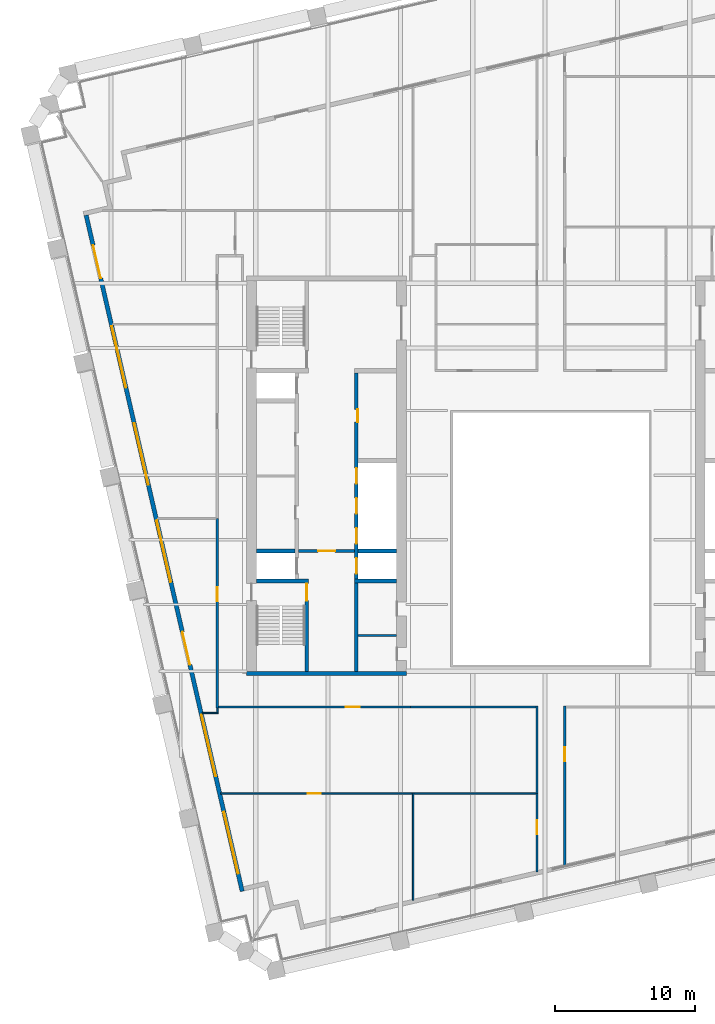
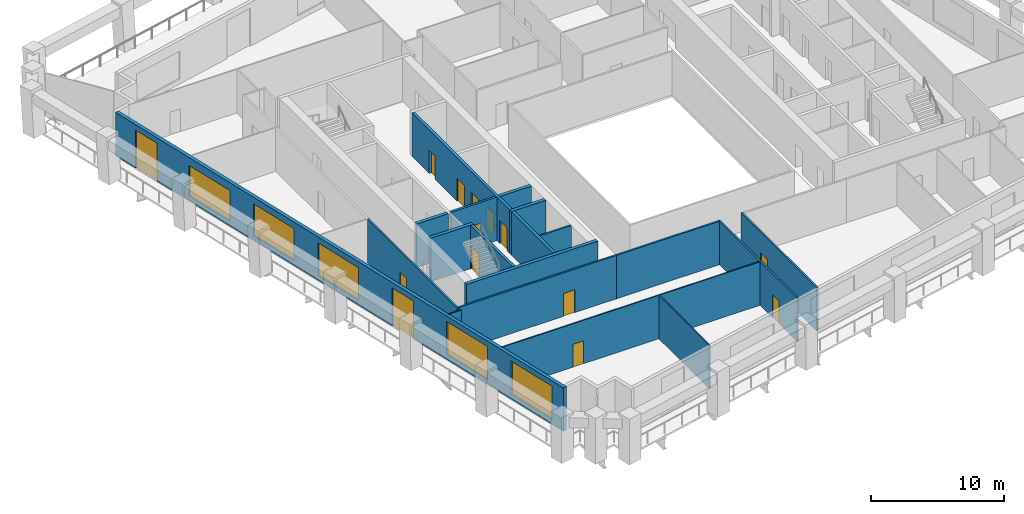
# One storey, part 4 of 11: 21 walls, 14 doors, 5 windows, 19 openings.
"""IFC4 building model written with IfcOpenShell, lengths in metres."""

from ifc_helpers import new_model, si_unit, direction, frame, frame_2d, origin, place, context, subcontext, project, spatial, rectangle, extrude, material, layer, layer_set, type_object, element, fill, save


model = new_model("IFC4")

# Units and contexts
model_context = context("Model", 3, precision=1e-05, world=origin(), true_north=direction((0.0, 1.0)))
body_context = subcontext(model_context, "Body", "Model", "MODEL_VIEW")
ifc_project = project(units=[si_unit("LENGTHUNIT", "METRE"), si_unit("AREAUNIT", "SQUARE_METRE"), si_unit("VOLUMEUNIT", "CUBIC_METRE"), si_unit("PLANEANGLEUNIT", "RADIAN"), si_unit("MASSUNIT", "GRAM", prefix="KILO")], contexts=[model_context])

# Site, building, storey
site_placement = place(None, origin())
site = spatial("IfcSite", under=ifc_project, at=site_placement, CompositionType="ELEMENT")
building_placement = place(site_placement, origin())
building = spatial("IfcBuilding", under=site, at=building_placement, Name="Ogive Exchange Tower", CompositionType="ELEMENT")
storey_placement = place(building_placement, frame((0.0, 0.0, 209.39990234375)))
storey = spatial("IfcBuildingStorey", under=building, at=storey_placement, Name="L46", CompositionType="ELEMENT", Elevation=209.39990234375)

# Wall
ifc_material_1 = material(Name="Gypsum board partition")
ifc_layer_1 = layer(ifc_material_1, 0.14990234375)
ifc_layer_set_1 = layer_set([ifc_layer_1], Name="Core room partition 150 gypsum")
wall_type_1 = type_object("IfcWallType", Name="Core room partition 150 gypsum", PredefinedType="PARTITIONING", material=ifc_layer_set_1)
wall_1_placement = place(storey_placement, frame((-13.75, 0.10009765625, 0.0), z_axis=(0.0, 0.0, 1.0), x_axis=(1.0, 0.0, 0.0)))
element("IfcWall", 1, at=wall_1_placement, inside=storey, type_object=wall_type_1, Name="W south room partition", PredefinedType="PARTITIONING", context=body_context, shape_type="SweptSolid", body=[
    extrude(rectangle(XDim=2.75, YDim=0.14990234375, at=frame_2d((1.375, 0.0))), origin(), (0.0, 0.0, 1.0), 4.0),
])

# Wall, opening, door
ifc_material_2 = material(Name="Fire partition EI 60 150")
ifc_layer_2 = layer(ifc_material_2, 0.14990234375)
ifc_layer_set_2 = layer_set([ifc_layer_2], Name="Fire partition EI 60 150")
wall_type_2 = type_object("IfcWallType", Name="Fire partition EI 60 150", PredefinedType="PARTITIONING", material=ifc_layer_set_2)
wall_2_placement = place(storey_placement, frame((-23.800048828125, -5.074951171875, 0.0), z_axis=(0.0, 0.0, 1.0), x_axis=(0.0, 1.0, 0.0)))
wall_2 = element("IfcWall", 2, at=wall_2_placement, inside=storey, type_object=wall_type_2, Name="L46-PWL-002", PredefinedType="PARTITIONING", context=body_context, shape_type="SweptSolid", body=[
    extrude(rectangle(XDim=13.52490234375, YDim=0.14990234375, at=frame_2d((6.762451171875, 0.0))), origin(), (0.0, 0.0, 1.0), 4.0),
])
opening_1_placement = place(wall_2_placement, frame((7.625, 0.0, 0.0)))
opening_1 = element("IfcOpeningElement", 3, at=opening_1_placement, cuts=wall_2, Name="Opening L46-I08", PredefinedType="OPENING", context=body_context, shape_type="SweptSolid", body=[
    extrude(rectangle(XDim=1.0, YDim=2.10009765625, at=frame_2d((0.5, 1.050048828125))), frame((0.0, 0.0849609375, 0.0), z_axis=(0.0, -1.0, 0.0), x_axis=(1.0, 0.0, 0.0)), (0.0, 0.0, 1.0), 0.169921875),
])
ifc_material_3 = material(Name="Fire door FD 30S 1000 x 2100")
door_type_1 = type_object("IfcDoorType", Name="Fire door FD 30S 1000 x 2100", OperationType="NOTDEFINED", PredefinedType="DOOR", material=ifc_material_3)
door_1_placement = place(opening_1_placement, origin())
door_1 = element("IfcDoor", 4, at=door_1_placement, inside=storey, type_object=door_type_1, Name="L46-IDR-008", ObjectType="DT3", OperationType="SINGLE_SWING_LEFT", OverallHeight=2.10009765625, OverallWidth=1.0, PredefinedType="DOOR", context=body_context, shape_type="SweptSolid", body=[
    extrude(rectangle(XDim=1.0, YDim=2.10009765625, at=frame_2d((0.5, 1.050048828125))), frame((0.0, 0.02490234375, 0.0), z_axis=(0.0, -1.0, 0.0), x_axis=(1.0, 0.0, 0.0)), (0.0, 0.0, 1.0), 0.050048828125),
])
fill(opening_1, door_1)

wall_3_placement = place(storey_placement, frame((-10.0, -5.0, 0.0), z_axis=(0.0, 0.0, 1.0), x_axis=(-1.0, 0.0, 0.0)))
wall_3 = element("IfcWall", 5, at=wall_3_placement, inside=storey, type_object=wall_type_2, Name="L46-PWL-013", PredefinedType="PARTITIONING", context=body_context, shape_type="SweptSolid", body=[
    extrude(rectangle(XDim=13.715087890625, YDim=0.14990234375, at=frame_2d((6.857421875, 0.0))), origin(), (0.0, 0.0, 1.0), 4.0),
])
opening_2_placement = place(wall_3_placement, frame((3.639892578125, 0.0, 0.0)))
opening_2 = element("IfcOpeningElement", 6, at=opening_2_placement, cuts=wall_3, Name="Opening L46-I09", PredefinedType="OPENING", context=body_context, shape_type="SweptSolid", body=[
    extrude(rectangle(XDim=1.0, YDim=2.10009765625, at=frame_2d((0.5, 1.050048828125))), frame((0.0, 0.0849609375, 0.0), z_axis=(0.0, -1.0, 0.0), x_axis=(1.0, 0.0, 0.0)), (0.0, 0.0, 1.0), 0.169921875),
])
door_2_placement = place(opening_2_placement, origin())
door_2 = element("IfcDoor", 7, at=door_2_placement, inside=storey, type_object=door_type_1, Name="L46-IDR-009", ObjectType="DT3", OperationType="SINGLE_SWING_LEFT", OverallHeight=2.10009765625, OverallWidth=1.0, PredefinedType="DOOR", context=body_context, shape_type="SweptSolid", body=[
    extrude(rectangle(XDim=1.0, YDim=2.10009765625, at=frame_2d((0.5, 1.050048828125))), frame((0.0, 0.02490234375, 0.0), z_axis=(0.0, -1.0, 0.0), x_axis=(1.0, 0.0, 0.0)), (0.0, 0.0, 1.0), 0.050048828125),
])
fill(opening_2, door_2)

wall_4_placement = place(storey_placement, frame((-0.989990234375, -16.7529296875, 0.0), z_axis=(0.0, 0.0, 1.0), x_axis=(0.0, 1.0, 0.0)))
wall_4 = element("IfcWall", 8, at=wall_4_placement, inside=storey, type_object=wall_type_2, Name="L46-PWL-027", PredefinedType="PARTITIONING", context=body_context, shape_type="SweptSolid", body=[
    extrude(rectangle(XDim=5.5830078125, YDim=0.14990234375, at=frame_2d((2.79150390625, 0.0))), origin(), (0.0, 0.0, 1.0), 4.0),
])
opening_3_placement = place(wall_4_placement, frame((2.68310546875, 0.0, 0.0)))
opening_3 = element("IfcOpeningElement", 9, at=opening_3_placement, cuts=wall_4, Name="Opening L46-I10", PredefinedType="OPENING", context=body_context, shape_type="SweptSolid", body=[
    extrude(rectangle(XDim=1.0, YDim=2.10009765625, at=frame_2d((0.5, 1.050048828125))), frame((0.0, 0.0849609375, 0.0), z_axis=(0.0, -1.0, 0.0), x_axis=(1.0, 0.0, 0.0)), (0.0, 0.0, 1.0), 0.169921875),
])
door_3_placement = place(opening_3_placement, origin())
door_3 = element("IfcDoor", 10, at=door_3_placement, inside=storey, type_object=door_type_1, Name="L46-IDR-010", ObjectType="DT3", OperationType="SINGLE_SWING_LEFT", OverallHeight=2.10009765625, OverallWidth=1.0, PredefinedType="DOOR", context=body_context, shape_type="SweptSolid", body=[
    extrude(rectangle(XDim=1.0, YDim=2.10009765625, at=frame_2d((0.5, 1.050048828125))), frame((0.0, 0.02490234375, 0.0), z_axis=(0.0, -1.0, 0.0), x_axis=(1.0, 0.0, 0.0)), (0.0, 0.0, 1.0), 0.050048828125),
])
fill(opening_3, door_3)

# Walls
wall_5_placement = place(storey_placement, frame((-0.989990234375, -11.169921875, 0.0), z_axis=(0.0, 0.0, 1.0), x_axis=(0.0, 1.0, 0.0)))
element("IfcWall", 11, at=wall_5_placement, inside=storey, type_object=wall_type_2, Name="L46-PWL-029", PredefinedType="PARTITIONING", context=body_context, shape_type="SweptSolid", body=[
    extrude(rectangle(XDim=6.244873046875, YDim=0.14990234375, at=frame_2d((3.12255859375, 0.0))), origin(), (0.0, 0.0, 1.0), 4.0),
])
wall_6_placement = place(storey_placement, frame((-1.06494140625, -5.0, 0.0), z_axis=(0.0, 0.0, 1.0), x_axis=(-1.0, 0.0, 0.0)))
element("IfcWall", 12, at=wall_6_placement, inside=storey, type_object=wall_type_2, Name="L46-PWL-030", PredefinedType="PARTITIONING", context=body_context, shape_type="SweptSolid", body=[
    extrude(rectangle(XDim=8.93505859375, YDim=0.14990234375, at=frame_2d((4.467529296875, 0.0))), origin(), (0.0, 0.0, 1.0), 4.0),
])

# Wall, opening, door
wall_7_placement = place(storey_placement, frame((0.989990234375, -4.925048828125, 0.0), z_axis=(0.0, 0.0, 1.0), x_axis=(0.0, -1.0, 0.0)))
wall_7 = element("IfcWall", 13, at=wall_7_placement, inside=storey, type_object=wall_type_2, Name="L46-PWL-034", PredefinedType="PARTITIONING", context=body_context, shape_type="SweptSolid", body=[
    extrude(rectangle(XDim=11.370849609375, YDim=0.14990234375, at=frame_2d((5.685546875, 0.0))), origin(), (0.0, 0.0, 1.0), 4.0),
])
opening_4_placement = place(wall_7_placement, frame((2.945068359375, 0.0, 0.0)))
opening_4 = element("IfcOpeningElement", 14, at=opening_4_placement, cuts=wall_7, Name="Opening L46-I13", PredefinedType="OPENING", context=body_context, shape_type="SweptSolid", body=[
    extrude(rectangle(XDim=1.0, YDim=2.10009765625, at=frame_2d((0.5, 1.050048828125))), frame((0.0, 0.0849609375, 0.0), z_axis=(0.0, -1.0, 0.0), x_axis=(1.0, 0.0, 0.0)), (0.0, 0.0, 1.0), 0.169921875),
])
door_4_placement = place(opening_4_placement, origin())
door_4 = element("IfcDoor", 15, at=door_4_placement, inside=storey, type_object=door_type_1, Name="L46-IDR-013", ObjectType="DT3", OperationType="SINGLE_SWING_RIGHT", OverallHeight=2.10009765625, OverallWidth=1.0, PredefinedType="DOOR", context=body_context, shape_type="SweptSolid", body=[
    extrude(rectangle(XDim=1.0, YDim=2.10009765625, at=frame_2d((0.5, 1.050048828125))), frame((0.0, 0.02490234375, 0.0), z_axis=(0.0, -1.0, 0.0), x_axis=(1.0, 0.0, 0.0)), (0.0, 0.0, 1.0), 0.050048828125),
])
fill(opening_4, door_4)

# Wall, openings, doors, windows
ifc_material_4 = material(Name="Precast concrete C40/50", Category="concrete")
ifc_layer_3 = layer(ifc_material_4, 0.300048828125)
ifc_layer_set_3 = layer_set([ifc_layer_3], Name="Limestone-faced wall 300")
wall_type_3 = type_object("IfcWallType", Name="Limestone-faced wall 300", PredefinedType="STANDARD", material=ifc_layer_set_3)
wall_8_placement = place(storey_placement, frame((-33.1572265625, 30.092041015625, 0.0), z_axis=(0.0, 0.0, 1.0), x_axis=(0.224950279389, -0.974370243697, 0.0)))
wall_8 = element("IfcWall", 16, at=wall_8_placement, inside=storey, type_object=wall_type_3, Name="External wall W4", PredefinedType="STANDARD", context=body_context, shape_type="SweptSolid", body=[
    extrude(rectangle(XDim=49.499755859375, YDim=0.300048828125, at=frame_2d((24.75, 0.0))), origin(), (0.0, 0.0, 1.0), 4.0),
])
opening_5_placement = place(wall_8_placement, frame((2.20703125, 0.0, 0.0)))
opening_5 = element("IfcOpeningElement", 17, at=opening_5_placement, cuts=wall_8, Name="Opening D1", PredefinedType="OPENING", context=body_context, shape_type="SweptSolid", body=[
    extrude(rectangle(XDim=2.39990234375, YDim=3.5, at=frame_2d((1.199951171875, 1.75))), frame((0.0, 0.159912109375, 0.0), z_axis=(0.0, -1.0, 0.0), x_axis=(1.0, 0.0, 0.0)), (0.0, 0.0, 1.0), 0.320068359375),
])
opening_6_placement = place(wall_8_placement, frame((8.121337890625, 0.0, 0.449951171875)))
opening_6 = element("IfcOpeningElement", 18, at=opening_6_placement, cuts=wall_8, Name="Opening W1E", PredefinedType="OPENING", context=body_context, shape_type="SweptSolid", body=[
    extrude(rectangle(XDim=4.5, YDim=2.824951171875, at=frame_2d((2.25, 1.41259765625))), frame((0.0, 0.159912109375, 0.0), z_axis=(0.0, -1.0, 0.0), x_axis=(1.0, 0.0, 0.0)), (0.0, 0.0, 1.0), 0.320068359375),
])
opening_7_placement = place(wall_8_placement, frame((15.235595703125, 0.0, 0.449951171875)))
opening_7 = element("IfcOpeningElement", 19, at=opening_7_placement, cuts=wall_8, Name="Opening W1B", PredefinedType="OPENING", context=body_context, shape_type="SweptSolid", body=[
    extrude(rectangle(XDim=4.5, YDim=2.949951171875, at=frame_2d((2.25, 1.47509765625))), frame((0.0, 0.159912109375, 0.0), z_axis=(0.0, -1.0, 0.0), x_axis=(1.0, 0.0, 0.0)), (0.0, 0.0, 1.0), 0.320068359375),
])
opening_8_placement = place(wall_8_placement, frame((22.35009765625, 0.0, 0.449951171875)))
opening_8 = element("IfcOpeningElement", 20, at=opening_8_placement, cuts=wall_8, Name="Opening W1A", PredefinedType="OPENING", context=body_context, shape_type="SweptSolid", body=[
    extrude(rectangle(XDim=4.5, YDim=3.0, at=frame_2d((2.25, 1.5))), frame((0.0, 0.159912109375, 0.0), z_axis=(0.0, -1.0, 0.0), x_axis=(1.0, 0.0, 0.0)), (0.0, 0.0, 1.0), 0.320068359375),
])
opening_9_placement = place(wall_8_placement, frame((30.51416015625, 0.0, 0.0)))
opening_9 = element("IfcOpeningElement", 21, at=opening_9_placement, cuts=wall_8, Name="Opening D1", PredefinedType="OPENING", context=body_context, shape_type="SweptSolid", body=[
    extrude(rectangle(XDim=2.39990234375, YDim=3.5, at=frame_2d((1.199951171875, 1.75))), frame((0.0, 0.159912109375, 0.0), z_axis=(0.0, -1.0, 0.0), x_axis=(1.0, 0.0, 0.0)), (0.0, 0.0, 1.0), 0.320068359375),
])
opening_10_placement = place(wall_8_placement, frame((36.57861328125, 0.0, 0.449951171875)))
opening_10 = element("IfcOpeningElement", 22, at=opening_10_placement, cuts=wall_8, Name="Opening W1", PredefinedType="OPENING", context=body_context, shape_type="SweptSolid", body=[
    extrude(rectangle(XDim=4.5, YDim=3.050048828125, at=frame_2d((2.25, 1.52490234375))), frame((0.0, 0.159912109375, 0.0), z_axis=(0.0, -1.0, 0.0), x_axis=(1.0, 0.0, 0.0)), (0.0, 0.0, 1.0), 0.320068359375),
])
opening_11_placement = place(wall_8_placement, frame((43.69287109375, 0.0, 0.449951171875)))
opening_11 = element("IfcOpeningElement", 23, at=opening_11_placement, cuts=wall_8, Name="Opening W1", PredefinedType="OPENING", context=body_context, shape_type="SweptSolid", body=[
    extrude(rectangle(XDim=4.5, YDim=3.050048828125, at=frame_2d((2.25, 1.52490234375))), frame((0.0, 0.159912109375, 0.0), z_axis=(0.0, -1.0, 0.0), x_axis=(1.0, 0.0, 0.0)), (0.0, 0.0, 1.0), 0.320068359375),
])
ifc_material_5 = material(Name="Clear glass in bronze frame", Category="glass")
door_type_2 = type_object("IfcDoorType", Name="Sliding loggia door 2400 x 3500", OperationType="DOUBLE_DOOR_SLIDING", PredefinedType="DOOR", material=ifc_material_5)
door_5_placement = place(opening_5_placement, origin())
door_5 = element("IfcDoor", 24, at=door_5_placement, inside=storey, type_object=door_type_2, Name="Loggia door W00", OperationType="DOUBLE_DOOR_SLIDING", OverallHeight=3.5, OverallWidth=2.39990234375, PredefinedType="DOOR", context=body_context, shape_type="SweptSolid", body=[
    extrude(rectangle(XDim=2.39990234375, YDim=3.5, at=frame_2d((1.199951171875, 1.75))), frame((0.0, 0.02490234375, 0.0), z_axis=(0.0, -1.0, 0.0), x_axis=(1.0, 0.0, 0.0)), (0.0, 0.0, 1.0), 0.050048828125),
])
fill(opening_5, door_5)
door_6_placement = place(opening_9_placement, origin())
door_6 = element("IfcDoor", 25, at=door_6_placement, inside=storey, type_object=door_type_2, Name="Loggia door W04", OperationType="DOUBLE_DOOR_SLIDING", OverallHeight=3.5, OverallWidth=2.39990234375, PredefinedType="DOOR", context=body_context, shape_type="SweptSolid", body=[
    extrude(rectangle(XDim=2.39990234375, YDim=3.5, at=frame_2d((1.199951171875, 1.75))), frame((0.0, 0.02490234375, 0.0), z_axis=(0.0, -1.0, 0.0), x_axis=(1.0, 0.0, 0.0)), (0.0, 0.0, 1.0), 0.050048828125),
])
fill(opening_9, door_6)
window_type_1 = type_object("IfcWindowType", Name="Twin lancet window 4500 x 2825", PartitioningType="DOUBLE_PANEL_VERTICAL", PredefinedType="WINDOW", material=ifc_material_5)
window_1_placement = place(opening_6_placement, origin())
window_1 = element("IfcWindow", 26, at=window_1_placement, inside=storey, type_object=window_type_1, Name="Window W01", OverallHeight=2.824951171875, OverallWidth=4.5, PartitioningType="DOUBLE_PANEL_VERTICAL", PredefinedType="WINDOW", context=body_context, shape_type="SweptSolid", body=[
    extrude(rectangle(XDim=4.5, YDim=2.824951171875, at=frame_2d((2.25, 1.41259765625))), frame((0.0, 0.030029296875, 0.0), z_axis=(0.0, -1.0, 0.0), x_axis=(1.0, 0.0, 0.0)), (0.0, 0.0, 1.0), 0.06005859375),
])
fill(opening_6, window_1)
window_type_2 = type_object("IfcWindowType", Name="Twin lancet window 4500 x 2950", PartitioningType="DOUBLE_PANEL_VERTICAL", PredefinedType="WINDOW", material=ifc_material_5)
window_2_placement = place(opening_7_placement, origin())
window_2 = element("IfcWindow", 27, at=window_2_placement, inside=storey, type_object=window_type_2, Name="Window W02", OverallHeight=2.949951171875, OverallWidth=4.5, PartitioningType="DOUBLE_PANEL_VERTICAL", PredefinedType="WINDOW", context=body_context, shape_type="SweptSolid", body=[
    extrude(rectangle(XDim=4.5, YDim=2.949951171875, at=frame_2d((2.25, 1.47509765625))), frame((0.0, 0.030029296875, 0.0), z_axis=(0.0, -1.0, 0.0), x_axis=(1.0, 0.0, 0.0)), (0.0, 0.0, 1.0), 0.06005859375),
])
fill(opening_7, window_2)
window_type_3 = type_object("IfcWindowType", Name="Twin lancet window 4500 x 3000", PartitioningType="DOUBLE_PANEL_VERTICAL", PredefinedType="WINDOW", material=ifc_material_5)
window_3_placement = place(opening_8_placement, origin())
window_3 = element("IfcWindow", 28, at=window_3_placement, inside=storey, type_object=window_type_3, Name="Window W03", OverallHeight=3.0, OverallWidth=4.5, PartitioningType="DOUBLE_PANEL_VERTICAL", PredefinedType="WINDOW", context=body_context, shape_type="SweptSolid", body=[
    extrude(rectangle(XDim=4.5, YDim=3.0, at=frame_2d((2.25, 1.5))), frame((0.0, 0.030029296875, 0.0), z_axis=(0.0, -1.0, 0.0), x_axis=(1.0, 0.0, 0.0)), (0.0, 0.0, 1.0), 0.06005859375),
])
fill(opening_8, window_3)
window_type_4 = type_object("IfcWindowType", Name="Twin lancet window 4500 x 3050", PartitioningType="DOUBLE_PANEL_VERTICAL", PredefinedType="WINDOW", material=ifc_material_5)
window_4_placement = place(opening_10_placement, origin())
window_4 = element("IfcWindow", 29, at=window_4_placement, inside=storey, type_object=window_type_4, Name="Window W05", OverallHeight=3.050048828125, OverallWidth=4.5, PartitioningType="DOUBLE_PANEL_VERTICAL", PredefinedType="WINDOW", context=body_context, shape_type="SweptSolid", body=[
    extrude(rectangle(XDim=4.5, YDim=3.050048828125, at=frame_2d((2.25, 1.52490234375))), frame((0.0, 0.030029296875, 0.0), z_axis=(0.0, -1.0, 0.0), x_axis=(1.0, 0.0, 0.0)), (0.0, 0.0, 1.0), 0.06005859375),
])
fill(opening_10, window_4)
window_5_placement = place(opening_11_placement, origin())
window_5 = element("IfcWindow", 30, at=window_5_placement, inside=storey, type_object=window_type_4, Name="Window W06", OverallHeight=3.050048828125, OverallWidth=4.5, PartitioningType="DOUBLE_PANEL_VERTICAL", PredefinedType="WINDOW", context=body_context, shape_type="SweptSolid", body=[
    extrude(rectangle(XDim=4.5, YDim=3.050048828125, at=frame_2d((2.25, 1.52490234375))), frame((0.0, 0.030029296875, 0.0), z_axis=(0.0, -1.0, 0.0), x_axis=(1.0, 0.0, 0.0)), (0.0, 0.0, 1.0), 0.06005859375),
])
fill(opening_11, window_5)

# Walls
ifc_material_6 = material(Name="Partition 100 gypsum")
ifc_layer_4 = layer(ifc_material_6, 0.10009765625)
ifc_layer_set_4 = layer_set([ifc_layer_4], Name="Partition 100 gypsum")
wall_type_4 = type_object("IfcWallType", Name="Partition 100 gypsum", PredefinedType="PARTITIONING", material=ifc_layer_set_4)
wall_9_placement = place(storey_placement, frame((-23.739990234375, -5.419921875, 0.0), z_axis=(0.0, 0.0, 1.0), x_axis=(-1.0, 0.0, 0.0)))
element("IfcWall", 31, at=wall_9_placement, inside=storey, type_object=wall_type_4, Name="L46-PWL-007", PredefinedType="PARTITIONING", context=body_context, shape_type="SweptSolid", body=[
    extrude(rectangle(XDim=1.14697265625, YDim=0.10009765625, at=frame_2d((0.573486328125, 0.0))), origin(), (0.0, 0.0, 1.0), 4.0),
])
wall_10_placement = place(storey_placement, frame((-23.7900390625, -5.074951171875, 0.0), z_axis=(0.0, 0.0, 1.0), x_axis=(0.0, -1.0, 0.0)))
element("IfcWall", 32, at=wall_10_placement, inside=storey, type_object=wall_type_4, Name="L46-PWL-008", PredefinedType="PARTITIONING", context=body_context, shape_type="SweptSolid", body=[
    extrude(rectangle(XDim=0.295166015625, YDim=0.10009765625, at=frame_2d((0.1474609375, 0.0))), origin(), (0.0, 0.0, 1.0), 4.0),
])
wall_11_placement = place(storey_placement, frame((-9.830078125, -18.7939453125, 0.0), z_axis=(0.0, 0.0, 1.0), x_axis=(0.0, 1.0, 0.0)))
element("IfcWall", 33, at=wall_11_placement, inside=storey, type_object=wall_type_4, Name="L46-PWL-015", PredefinedType="PARTITIONING", context=body_context, shape_type="SweptSolid", body=[
    extrude(rectangle(XDim=7.673828125, YDim=0.10009765625, at=frame_2d((3.8369140625, 0.0))), origin(), (0.0, 0.0, 1.0), 4.0),
])

# Wall, opening, door
wall_12_placement = place(storey_placement, frame((-9.8798828125, -11.169921875, 0.0), z_axis=(0.0, 0.0, 1.0), x_axis=(-1.0, 0.0, 0.0)))
wall_12 = element("IfcWall", 34, at=wall_12_placement, inside=storey, type_object=wall_type_4, Name="L46-PWL-016", PredefinedType="PARTITIONING", context=body_context, shape_type="SweptSolid", body=[
    extrude(rectangle(XDim=13.68017578125, YDim=0.10009765625, at=frame_2d((6.840087890625, 0.0))), origin(), (0.0, 0.0, 1.0), 4.0),
])
opening_12_placement = place(wall_12_placement, frame((6.550048828125, 0.0, 0.0)))
opening_12 = element("IfcOpeningElement", 35, at=opening_12_placement, cuts=wall_12, Name="Opening L46-I11", PredefinedType="OPENING", context=body_context, shape_type="SweptSolid", body=[
    extrude(rectangle(XDim=0.89990234375, YDim=2.10009765625, at=frame_2d((0.449951171875, 1.050048828125))), frame((0.0, 0.06005859375, 0.0), z_axis=(0.0, -1.0, 0.0), x_axis=(1.0, 0.0, 0.0)), (0.0, 0.0, 1.0), 0.1201171875),
])
ifc_material_7 = material(Name="Door 900 x 2100")
door_type_3 = type_object("IfcDoorType", Name="Door 900 x 2100", OperationType="NOTDEFINED", PredefinedType="DOOR", material=ifc_material_7)
door_7_placement = place(opening_12_placement, origin())
door_7 = element("IfcDoor", 36, at=door_7_placement, inside=storey, type_object=door_type_3, Name="L46-IDR-011", ObjectType="DT1", OperationType="SINGLE_SWING_RIGHT", OverallHeight=2.10009765625, OverallWidth=0.89990234375, PredefinedType="DOOR", context=body_context, shape_type="SweptSolid", body=[
    extrude(rectangle(XDim=0.89990234375, YDim=2.10009765625, at=frame_2d((0.449951171875, 1.050048828125))), frame((0.0, 0.02490234375, 0.0), z_axis=(0.0, -1.0, 0.0), x_axis=(1.0, 0.0, 0.0)), (0.0, 0.0, 1.0), 0.050048828125),
])
fill(opening_12, door_7)

# Wall
wall_13_placement = place(storey_placement, frame((-1.06494140625, -11.169921875, 0.0), z_axis=(0.0, 0.0, 1.0), x_axis=(-1.0, 0.0, 0.0)))
element("IfcWall", 37, at=wall_13_placement, inside=storey, type_object=wall_type_4, Name="L46-PWL-028", PredefinedType="PARTITIONING", context=body_context, shape_type="SweptSolid", body=[
    extrude(rectangle(XDim=8.715087890625, YDim=0.10009765625, at=frame_2d((4.357421875, 0.0))), origin(), (0.0, 0.0, 1.0), 4.0),
])

# Wall, opening, door
ifc_material_8 = material(Name="Concrete C70/85", Category="concrete")
ifc_layer_5 = layer(ifc_material_8, 0.199951171875)
ifc_layer_set_5 = layer_set([ifc_layer_5], Name="RC core wall 200 C70/85")
wall_type_5 = type_object("IfcWallType", Name="RC core wall 200 C70/85", PredefinedType="SHEAR", material=ifc_layer_set_5)
wall_14_placement = place(storey_placement, frame((-18.0, 6.142822265625, 0.0), z_axis=(0.0, 0.0, 1.0), x_axis=(1.0, 0.0, 0.0)))
wall_14 = element("IfcWall", 38, at=wall_14_placement, inside=storey, type_object=wall_type_5, Name="W firefighting lobby wall", PredefinedType="SHEAR", context=body_context, shape_type="SweptSolid", body=[
    extrude(rectangle(XDim=4.0, YDim=0.199951171875, at=frame_2d((2.0, 0.0))), origin(), (0.0, 0.0, 1.0), 4.0),
])
opening_13_placement = place(wall_14_placement, frame((1.39990234375, 0.0, 0.0)))
opening_13 = element("IfcOpeningElement", 39, at=opening_13_placement, cuts=wall_14, Name="Opening L46-C10", PredefinedType="OPENING", context=body_context, shape_type="SweptSolid", body=[
    extrude(rectangle(XDim=1.199951171875, YDim=2.10009765625, at=frame_2d((0.60009765625, 1.050048828125))), frame((0.0, 0.10986328125, 0.0), z_axis=(0.0, -1.0, 0.0), x_axis=(1.0, 0.0, 0.0)), (0.0, 0.0, 1.0), 0.219970703125),
])
ifc_material_9 = material(Name="Steel fire door", Category="steel")
door_type_4 = type_object("IfcDoorType", Name="Firefighting lobby door FD60 1200 x 2100", OperationType="NOTDEFINED", PredefinedType="DOOR", material=ifc_material_9)
door_8_placement = place(opening_13_placement, frame((1.199951171875, 0.0, 0.0), z_axis=(0.0, 0.0, 1.0), x_axis=(-1.0, 0.0, 0.0)))
door_8 = element("IfcDoor", 40, at=door_8_placement, inside=storey, type_object=door_type_4, Name="Firefighting lobby door", ObjectType="CD3", OperationType="SINGLE_SWING_LEFT", OverallHeight=2.10009765625, OverallWidth=1.199951171875, PredefinedType="DOOR", context=body_context, shape_type="SweptSolid", body=[
    extrude(rectangle(XDim=1.199951171875, YDim=2.10009765625, at=frame_2d((0.60009765625, 1.050048828125))), frame((0.0, 0.02490234375, 0.0), z_axis=(0.0, -1.0, 0.0), x_axis=(1.0, 0.0, 0.0)), (0.0, 0.0, 1.0), 0.050048828125),
])
fill(opening_13, door_8)

ifc_layer_6 = layer(ifc_material_8, 0.25)
ifc_layer_set_6 = layer_set([ifc_layer_6], Name="RC core wall 250 C70/85")
wall_type_6 = type_object("IfcWallType", Name="RC core wall 250 C70/85", PredefinedType="SHEAR", material=ifc_layer_set_6)
wall_15_placement = place(storey_placement, frame((-17.425048828125, -2.449951171875, 0.0), z_axis=(0.0, 0.0, 1.0), x_axis=(0.0, 1.0, 0.0)))
wall_15 = element("IfcWall", 41, at=wall_15_placement, inside=storey, type_object=wall_type_6, Name="W stair S front wall", PredefinedType="SHEAR", context=body_context, shape_type="SweptSolid", body=[
    extrude(rectangle(XDim=6.300048828125, YDim=0.25, at=frame_2d((3.14990234375, 0.0))), origin(), (0.0, 0.0, 1.0), 4.0),
])
opening_14_placement = place(wall_15_placement, frame((5.050048828125, 0.0, 0.0)))
opening_14 = element("IfcOpeningElement", 42, at=opening_14_placement, cuts=wall_15, Name="Opening L46-C12", PredefinedType="OPENING", context=body_context, shape_type="SweptSolid", body=[
    extrude(rectangle(XDim=1.199951171875, YDim=2.10009765625, at=frame_2d((0.60009765625, 1.050048828125))), frame((0.0, 0.135009765625, 0.0), z_axis=(0.0, -1.0, 0.0), x_axis=(1.0, 0.0, 0.0)), (0.0, 0.0, 1.0), 0.27001953125),
])
door_type_5 = type_object("IfcDoorType", Name="Stair door FD90 1200 x 2100", OperationType="NOTDEFINED", PredefinedType="DOOR", material=ifc_material_9)
door_9_placement = place(opening_14_placement, origin())
door_9 = element("IfcDoor", 43, at=door_9_placement, inside=storey, type_object=door_type_5, Name="Stair door", ObjectType="CD5", OperationType="SINGLE_SWING_LEFT", OverallHeight=2.10009765625, OverallWidth=1.199951171875, PredefinedType="DOOR", context=body_context, shape_type="SweptSolid", body=[
    extrude(rectangle(XDim=1.199951171875, YDim=2.10009765625, at=frame_2d((0.60009765625, 1.050048828125))), frame((0.0, 0.02490234375, 0.0), z_axis=(0.0, -1.0, 0.0), x_axis=(1.0, 0.0, 0.0)), (0.0, 0.0, 1.0), 0.050048828125),
])
fill(opening_14, door_9)

# Wall, openings, doors
wall_16_placement = place(storey_placement, frame((-13.875, -2.449951171875, 0.0), z_axis=(0.0, 0.0, 1.0), x_axis=(0.0, 1.0, 0.0)))
wall_16 = element("IfcWall", 44, at=wall_16_placement, inside=storey, type_object=wall_type_6, Name="W row B front wall", PredefinedType="SHEAR", context=body_context, shape_type="SweptSolid", body=[
    extrude(rectangle(XDim=21.300048828125, YDim=0.25, at=frame_2d((10.64990234375, 0.0))), origin(), (0.0, 0.0, 1.0), 4.0),
])
opening_15_placement = place(wall_16_placement, frame((17.78564453125, 0.0, 0.0)))
opening_15 = element("IfcOpeningElement", 45, at=opening_15_placement, cuts=wall_16, Name="Opening L46-C05", PredefinedType="OPENING", context=body_context, shape_type="SweptSolid", body=[
    extrude(rectangle(XDim=0.89990234375, YDim=2.10009765625, at=frame_2d((0.449951171875, 1.050048828125))), frame((0.0, 0.135009765625, 0.0), z_axis=(0.0, -1.0, 0.0), x_axis=(1.0, 0.0, 0.0)), (0.0, 0.0, 1.0), 0.27001953125),
])
opening_16_placement = place(wall_16_placement, frame((6.971435546875, 0.0, 0.0)))
opening_16 = element("IfcOpeningElement", 46, at=opening_16_placement, cuts=wall_16, Name="Opening L46-C06", PredefinedType="OPENING", context=body_context, shape_type="SweptSolid", body=[
    extrude(rectangle(XDim=1.10009765625, YDim=2.10009765625, at=frame_2d((0.550048828125, 1.050048828125))), frame((0.0, 0.135009765625, 0.0), z_axis=(0.0, -1.0, 0.0), x_axis=(1.0, 0.0, 0.0)), (0.0, 0.0, 1.0), 0.27001953125),
])
opening_17_placement = place(wall_16_placement, frame((9.1142578125, 0.0, 0.0)))
opening_17 = element("IfcOpeningElement", 47, at=opening_17_placement, cuts=wall_16, Name="Opening L46-C07", PredefinedType="OPENING", context=body_context, shape_type="SweptSolid", body=[
    extrude(rectangle(XDim=1.10009765625, YDim=2.10009765625, at=frame_2d((0.550048828125, 1.050048828125))), frame((0.0, 0.135009765625, 0.0), z_axis=(0.0, -1.0, 0.0), x_axis=(1.0, 0.0, 0.0)), (0.0, 0.0, 1.0), 0.27001953125),
])
opening_18_placement = place(wall_16_placement, frame((11.257080078125, 0.0, 0.0)))
opening_18 = element("IfcOpeningElement", 48, at=opening_18_placement, cuts=wall_16, Name="Opening L46-C08", PredefinedType="OPENING", context=body_context, shape_type="SweptSolid", body=[
    extrude(rectangle(XDim=1.10009765625, YDim=2.10009765625, at=frame_2d((0.550048828125, 1.050048828125))), frame((0.0, 0.135009765625, 0.0), z_axis=(0.0, -1.0, 0.0), x_axis=(1.0, 0.0, 0.0)), (0.0, 0.0, 1.0), 0.27001953125),
])
opening_19_placement = place(wall_16_placement, frame((13.39990234375, 0.0, 0.0)))
opening_19 = element("IfcOpeningElement", 49, at=opening_19_placement, cuts=wall_16, Name="Opening L46-C09", PredefinedType="OPENING", context=body_context, shape_type="SweptSolid", body=[
    extrude(rectangle(XDim=1.10009765625, YDim=2.10009765625, at=frame_2d((0.550048828125, 1.050048828125))), frame((0.0, 0.135009765625, 0.0), z_axis=(0.0, -1.0, 0.0), x_axis=(1.0, 0.0, 0.0)), (0.0, 0.0, 1.0), 0.27001953125),
])
ifc_material_10 = material(Name="Stainless steel", Category="steel")
door_type_6 = type_object("IfcDoorType", Name="Lift landing door FD90 1100 x 2100", OperationType="SLIDING_TO_LEFT", PredefinedType="DOOR", material=ifc_material_10)
door_10_placement = place(opening_16_placement, origin())
door_10 = element("IfcDoor", 50, at=door_10_placement, inside=storey, type_object=door_type_6, Name="Lift landing door SV1", ObjectType="LD", OperationType="SLIDING_TO_LEFT", OverallHeight=2.10009765625, OverallWidth=1.10009765625, PredefinedType="DOOR", context=body_context, shape_type="SweptSolid", body=[
    extrude(rectangle(XDim=1.10009765625, YDim=2.10009765625, at=frame_2d((0.550048828125, 1.050048828125))), frame((0.0, 0.02490234375, 0.0), z_axis=(0.0, -1.0, 0.0), x_axis=(1.0, 0.0, 0.0)), (0.0, 0.0, 1.0), 0.050048828125),
])
fill(opening_16, door_10)
door_11_placement = place(opening_17_placement, origin())
door_11 = element("IfcDoor", 51, at=door_11_placement, inside=storey, type_object=door_type_6, Name="Lift landing door W-M1", ObjectType="LD", OperationType="SLIDING_TO_LEFT", OverallHeight=2.10009765625, OverallWidth=1.10009765625, PredefinedType="DOOR", context=body_context, shape_type="SweptSolid", body=[
    extrude(rectangle(XDim=1.10009765625, YDim=2.10009765625, at=frame_2d((0.550048828125, 1.050048828125))), frame((0.0, 0.02490234375, 0.0), z_axis=(0.0, -1.0, 0.0), x_axis=(1.0, 0.0, 0.0)), (0.0, 0.0, 1.0), 0.050048828125),
])
fill(opening_17, door_11)
door_12_placement = place(opening_18_placement, origin())
door_12 = element("IfcDoor", 52, at=door_12_placement, inside=storey, type_object=door_type_6, Name="Lift landing door W-M2", ObjectType="LD", OperationType="SLIDING_TO_LEFT", OverallHeight=2.10009765625, OverallWidth=1.10009765625, PredefinedType="DOOR", context=body_context, shape_type="SweptSolid", body=[
    extrude(rectangle(XDim=1.10009765625, YDim=2.10009765625, at=frame_2d((0.550048828125, 1.050048828125))), frame((0.0, 0.02490234375, 0.0), z_axis=(0.0, -1.0, 0.0), x_axis=(1.0, 0.0, 0.0)), (0.0, 0.0, 1.0), 0.050048828125),
])
fill(opening_18, door_12)
door_13_placement = place(opening_19_placement, origin())
door_13 = element("IfcDoor", 53, at=door_13_placement, inside=storey, type_object=door_type_6, Name="Lift landing door W-M3", ObjectType="LD", OperationType="SLIDING_TO_LEFT", OverallHeight=2.10009765625, OverallWidth=1.10009765625, PredefinedType="DOOR", context=body_context, shape_type="SweptSolid", body=[
    extrude(rectangle(XDim=1.10009765625, YDim=2.10009765625, at=frame_2d((0.550048828125, 1.050048828125))), frame((0.0, 0.02490234375, 0.0), z_axis=(0.0, -1.0, 0.0), x_axis=(1.0, 0.0, 0.0)), (0.0, 0.0, 1.0), 0.050048828125),
])
fill(opening_19, door_13)
door_type_7 = type_object("IfcDoorType", Name="Riser door FD60 900 x 2100", OperationType="NOTDEFINED", PredefinedType="DOOR", material=ifc_material_9)
door_14_placement = place(opening_15_placement, frame((0.89990234375, -0.2001953125, 0.0), z_axis=(0.0, 0.0, 1.0), x_axis=(-1.0, 0.0, 0.0)))
door_14 = element("IfcDoor", 54, at=door_14_placement, inside=storey, type_object=door_type_7, Name="Riser door", ObjectType="CD2", OperationType="SINGLE_SWING_LEFT", OverallHeight=2.10009765625, OverallWidth=0.89990234375, PredefinedType="DOOR", context=body_context, shape_type="SweptSolid", body=[
    extrude(rectangle(XDim=0.89990234375, YDim=2.10009765625, at=frame_2d((0.449951171875, 1.050048828125))), frame((0.0, -0.0751953125, 0.0), z_axis=(0.0, -1.0, 0.0), x_axis=(1.0, 0.0, 0.0)), (0.0, 0.0, 1.0), 0.050048828125),
])
fill(opening_15, door_14)

# Walls
ifc_layer_7 = layer(ifc_material_8, 0.300048828125)
ifc_layer_set_7 = layer_set([ifc_layer_7], Name="RC core wall 300 C70/85")
wall_type_7 = type_object("IfcWallType", Name="RC core wall 300 C70/85", PredefinedType="SHEAR", material=ifc_layer_set_7)
wall_17_placement = place(storey_placement, frame((-21.699951171875, -2.60009765625, 0.0), z_axis=(0.0, 0.0, 1.0), x_axis=(1.0, 0.0, 0.0)))
element("IfcWall", 55, at=wall_17_placement, inside=storey, type_object=wall_type_7, Name="W south end wall", PredefinedType="SHEAR", context=body_context, shape_type="SweptSolid", body=[
    extrude(rectangle(XDim=11.39990234375, YDim=0.300048828125, at=frame_2d((5.699951171875, 0.0))), origin(), (0.0, 0.0, 1.0), 4.0),
])
wall_18_placement = place(storey_placement, frame((-21.0, 4.0, 0.0), z_axis=(0.0, 0.0, 1.0), x_axis=(1.0, 0.0, 0.0)))
element("IfcWall", 56, at=wall_18_placement, inside=storey, type_object=wall_type_7, Name="W stair S north wall", PredefinedType="SHEAR", context=body_context, shape_type="SweptSolid", body=[
    extrude(rectangle(XDim=3.699951171875, YDim=0.300048828125, at=frame_2d((1.85009765625, 0.0))), origin(), (0.0, 0.0, 1.0), 4.0),
])
wall_19_placement = place(storey_placement, frame((-21.0, 6.142822265625, 0.0), z_axis=(0.0, 0.0, 1.0), x_axis=(1.0, 0.0, 0.0)))
element("IfcWall", 57, at=wall_19_placement, inside=storey, type_object=wall_type_7, Name="W row A divider 1", PredefinedType="SHEAR", context=body_context, shape_type="SweptSolid", body=[
    extrude(rectangle(XDim=2.75, YDim=0.300048828125, at=frame_2d((1.375, 0.0))), origin(), (0.0, 0.0, 1.0), 4.0),
])
wall_20_placement = place(storey_placement, frame((-14.0, 4.0, 0.0), z_axis=(0.0, 0.0, 1.0), x_axis=(1.0, 0.0, 0.0)))
element("IfcWall", 58, at=wall_20_placement, inside=storey, type_object=wall_type_7, Name="W row B divider 0", PredefinedType="SHEAR", context=body_context, shape_type="SweptSolid", body=[
    extrude(rectangle(XDim=3.0, YDim=0.300048828125, at=frame_2d((1.5, 0.0))), origin(), (0.0, 0.0, 1.0), 4.0),
])
wall_21_placement = place(storey_placement, frame((-13.75, 6.142822265625, 0.0), z_axis=(0.0, 0.0, 1.0), x_axis=(1.0, 0.0, 0.0)))
element("IfcWall", 59, at=wall_21_placement, inside=storey, type_object=wall_type_7, Name="W row B divider 1", PredefinedType="SHEAR", context=body_context, shape_type="SweptSolid", body=[
    extrude(rectangle(XDim=2.75, YDim=0.300048828125, at=frame_2d((1.375, 0.0))), origin(), (0.0, 0.0, 1.0), 4.0),
])

save(model, "model.ifc")
